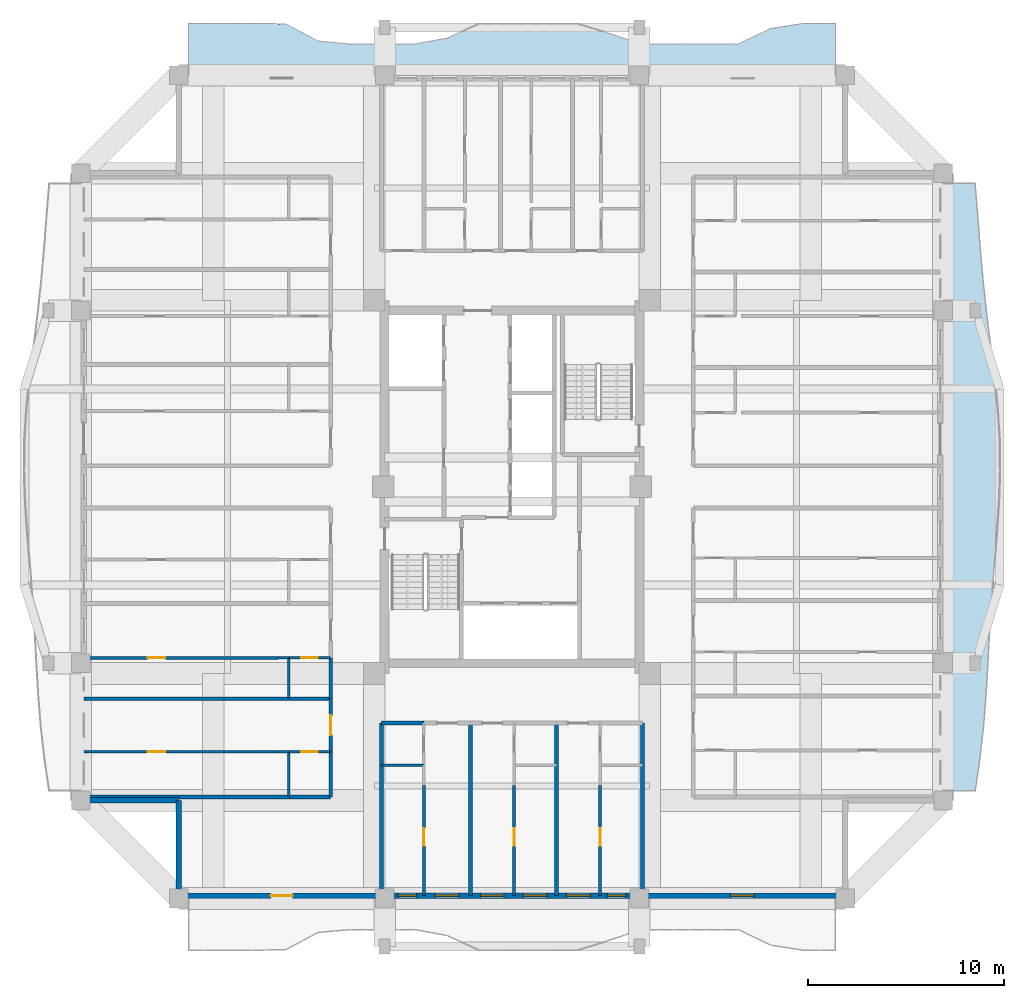
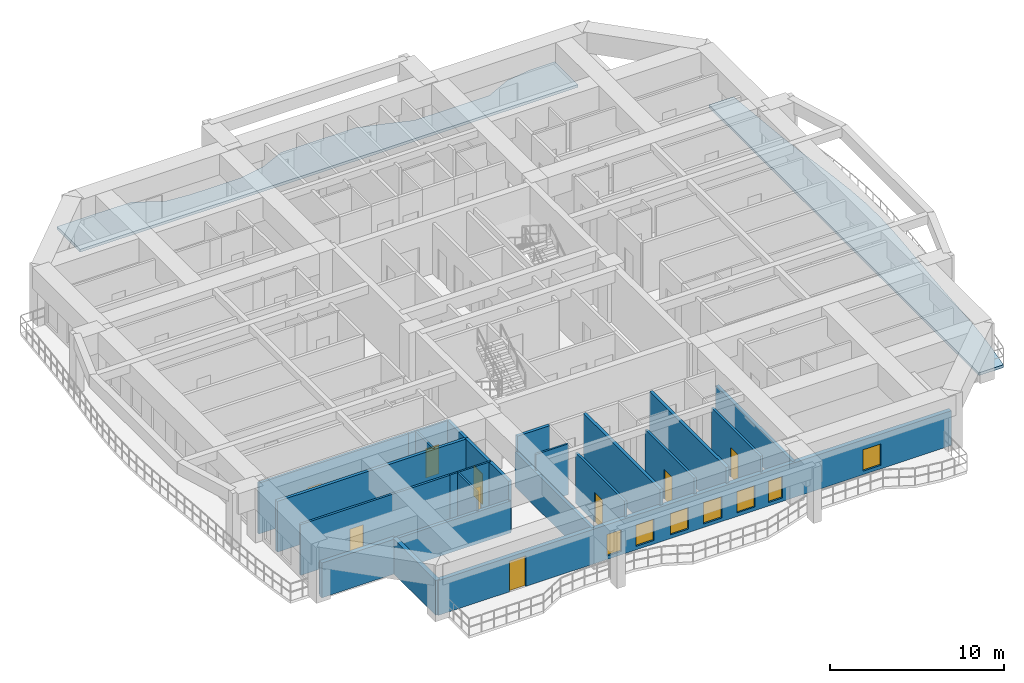
# One storey, part 2 of 15: 25 walls, 9 doors, 7 windows, 2 slabs, 16 openings.
"""IFC4 building model written with IfcOpenShell, lengths in metres."""

from ifc_helpers import new_model, si_unit, direction, frame, frame_2d, origin, place, context, subcontext, project, spatial, polyline, rectangle, outline, extrude, source, transform, mapped, material, layer, layer_set, type_object, element, fill, save


model = new_model("IFC4")

# Units and contexts
model_context = context("Model", 3, precision=1e-05, world=origin(), true_north=direction((0.0, 1.0)))
body_context = subcontext(model_context, "Body", "Model", "MODEL_VIEW")
ifc_project = project(units=[si_unit("LENGTHUNIT", "METRE"), si_unit("AREAUNIT", "SQUARE_METRE"), si_unit("VOLUMEUNIT", "CUBIC_METRE"), si_unit("PLANEANGLEUNIT", "RADIAN"), si_unit("MASSUNIT", "GRAM", prefix="KILO")], contexts=[model_context])

# Site, building, storey
site_placement = place(None, origin())
site = spatial("IfcSite", under=ifc_project, at=site_placement, CompositionType="ELEMENT")
building_placement = place(site_placement, origin())
building = spatial("IfcBuilding", under=site, at=building_placement, Name="Saelheon Loggia Tower", CompositionType="ELEMENT")
storey_placement = place(building_placement, frame((0.0, 0.0, 169.0)))
storey = spatial("IfcBuildingStorey", under=building, at=storey_placement, Name="L53", CompositionType="ELEMENT", Elevation=169.0)

# Slabs
ifc_material_1 = material(Name="Precast Concrete C45/55", Category="concrete")
ifc_layer_1 = layer(ifc_material_1, 0.18994140625)
ifc_layer_set_1 = layer_set([ifc_layer_1], Name="Precast Concrete C45/55")
slab_type = type_object("IfcSlabType", Name="Slab_Loggia_Ext_190", PredefinedType="FLOOR", material=ifc_layer_set_1)
slab_1_placement = place(storey_placement, frame((0.0, 0.0, -0.18994140625)))
element("IfcSlab", 1, at=slab_1_placement, inside=storey, type_object=slab_type, Name="L53 Loggia Balcony Slab N", PredefinedType="FLOOR", context=body_context, shape_type="SweptSolid", body=[
    extrude(outline(polyline([(21.5, 48.0), (54.5, 48.0), (54.5, 50.64990234375), (52.85009765625, 50.64990234375), (51.199951171875, 50.393310546875), (49.550048828125, 49.60009765625), (47.89990234375, 49.60009765625), (46.25, 49.60009765625), (44.60009765625, 49.60009765625), (42.949951171875, 50.14990234375), (41.300048828125, 50.64990234375), (39.64990234375, 50.64990234375), (38.0, 50.64990234375), (36.35009765625, 50.64990234375), (34.699951171875, 49.90673828125), (33.050048828125, 49.60009765625), (31.39990234375, 49.60009765625), (29.75, 49.60009765625), (28.10009765625, 49.748291015625), (26.449951171875, 50.628662109375), (24.800048828125, 50.64990234375), (23.14990234375, 50.64990234375), (21.5, 50.64990234375), (21.5, 48.0)])), origin(), (0.0, 0.0, 1.0), 0.18994140625),
])
slab_2_placement = place(storey_placement, frame((0.0, 0.0, -0.18994140625)))
element("IfcSlab", 2, at=slab_2_placement, inside=storey, type_object=slab_type, Name="L53 Loggia Balcony Slab E", PredefinedType="FLOOR", context=body_context, shape_type="SweptSolid", body=[
    extrude(outline(polyline([(60.0, 11.5), (61.635009765625, 11.5), (61.874755859375, 13.131591796875), (62.0595703125, 14.76318359375), (62.18994140625, 16.394775390625), (62.285400390625, 18.0263671875), (62.37353515625, 19.657958984375), (62.4765625, 21.28955078125), (62.600830078125, 22.921142578125), (62.733154296875, 24.552490234375), (62.84423828125, 26.18408203125), (62.901123046875, 27.81591796875), (62.880126953125, 29.447509765625), (62.77685546875, 31.078857421875), (62.60791015625, 32.71044921875), (62.40576171875, 34.342041015625), (62.205078125, 35.9736328125), (62.030517578125, 37.605224609375), (61.88720703125, 39.23681640625), (61.761474609375, 40.868408203125), (61.627685546875, 42.5), (60.0, 42.5), (60.0, 11.5)])), origin(), (0.0, 0.0, 1.0), 0.18994140625),
])

# Wall, openings, windows, door
ifc_material_2 = material(Name="Architectural Precast Concrete C40/50", Category="concrete")
ifc_layer_2 = layer(ifc_material_2, 0.280029296875)
ifc_layer_set_2 = layer_set([ifc_layer_2], Name="Architectural Precast Concrete C40/50")
wall_type_1 = type_object("IfcWallType", Name="Wall_Ext_Loggia_280", PredefinedType="SOLIDWALL", material=ifc_layer_set_2)
wall_1_placement = place(storey_placement, frame((21.0, 6.139892578125, 0.0), z_axis=(0.0, 0.0, 1.0), x_axis=(1.0, 0.0, 0.0)))
wall_1 = element("IfcWall", 3, at=wall_1_placement, inside=storey, type_object=wall_type_1, Name="L53 South Loggia Inner Wall", PredefinedType="SOLIDWALL", context=body_context, shape_type="SweptSolid", body=[
    extrude(rectangle(XDim=34.0, YDim=0.280029296875, at=frame_2d((17.0, 0.0))), origin(), (0.0, 0.0, 1.0), 2.43994140625),
])
opening_1_placement = place(wall_1_placement, frame((5.800048828125, 0.0, 0.0), z_axis=(0.0, 0.0, 1.0), x_axis=(-1.0, 0.0, 0.0)))
opening_1 = element("IfcOpeningElement", 4, at=opening_1_placement, cuts=wall_1, Name="Opening TD1", PredefinedType="OPENING", context=body_context, shape_type="SweptSolid", body=[
    extrude(rectangle(XDim=1.10009765625, YDim=2.14990234375, at=frame_2d((0.550048828125, 1.074951171875))), frame((0.0, 0.152099609375, 0.0), z_axis=(0.0, -1.0, 0.0), x_axis=(1.0, 0.0, 0.0)), (0.0, 0.0, 1.0), 0.303955078125),
])
opening_2_placement = place(wall_1_placement, frame((11.1826171875, 0.0, 0.25)))
opening_2 = element("IfcOpeningElement", 5, at=opening_2_placement, cuts=wall_1, Name="Opening WN-04", PredefinedType="OPENING", context=body_context, shape_type="SweptSolid", body=[
    extrude(rectangle(XDim=0.949951171875, YDim=1.5, at=frame_2d((0.47509765625, 0.75))), frame((0.0, 0.152099609375, 0.0), z_axis=(0.0, -1.0, 0.0), x_axis=(1.0, 0.0, 0.0)), (0.0, 0.0, 1.0), 0.303955078125),
])
opening_3_placement = place(wall_1_placement, frame((13.0859375, 0.0, 0.25)))
opening_3 = element("IfcOpeningElement", 6, at=opening_3_placement, cuts=wall_1, Name="Opening WN-03", PredefinedType="OPENING", context=body_context, shape_type="SweptSolid", body=[
    extrude(rectangle(XDim=1.199951171875, YDim=1.5, at=frame_2d((0.60009765625, 0.75))), frame((0.0, 0.152099609375, 0.0), z_axis=(0.0, -1.0, 0.0), x_axis=(1.0, 0.0, 0.0)), (0.0, 0.0, 1.0), 0.303955078125),
])
opening_4_placement = place(wall_1_placement, frame((15.3916015625, 0.0, 0.25)))
opening_4 = element("IfcOpeningElement", 7, at=opening_4_placement, cuts=wall_1, Name="Opening WN-03", PredefinedType="OPENING", context=body_context, shape_type="SweptSolid", body=[
    extrude(rectangle(XDim=1.199951171875, YDim=1.5, at=frame_2d((0.60009765625, 0.75))), frame((0.0, 0.152099609375, 0.0), z_axis=(0.0, -1.0, 0.0), x_axis=(1.0, 0.0, 0.0)), (0.0, 0.0, 1.0), 0.303955078125),
])
opening_5_placement = place(wall_1_placement, frame((17.5859375, 0.0, 0.25)))
opening_5 = element("IfcOpeningElement", 8, at=opening_5_placement, cuts=wall_1, Name="Opening WN-03", PredefinedType="OPENING", context=body_context, shape_type="SweptSolid", body=[
    extrude(rectangle(XDim=1.199951171875, YDim=1.5, at=frame_2d((0.60009765625, 0.75))), frame((0.0, 0.152099609375, 0.0), z_axis=(0.0, -1.0, 0.0), x_axis=(1.0, 0.0, 0.0)), (0.0, 0.0, 1.0), 0.303955078125),
])
opening_6_placement = place(wall_1_placement, frame((19.780517578125, 0.0, 0.25)))
opening_6 = element("IfcOpeningElement", 9, at=opening_6_placement, cuts=wall_1, Name="Opening WN-03", PredefinedType="OPENING", context=body_context, shape_type="SweptSolid", body=[
    extrude(rectangle(XDim=1.199951171875, YDim=1.5, at=frame_2d((0.60009765625, 0.75))), frame((0.0, 0.152099609375, 0.0), z_axis=(0.0, -1.0, 0.0), x_axis=(1.0, 0.0, 0.0)), (0.0, 0.0, 1.0), 0.303955078125),
])
opening_7_placement = place(wall_1_placement, frame((21.867431640625, 0.0, 0.25)))
opening_7 = element("IfcOpeningElement", 10, at=opening_7_placement, cuts=wall_1, Name="Opening WN-04", PredefinedType="OPENING", context=body_context, shape_type="SweptSolid", body=[
    extrude(rectangle(XDim=0.949951171875, YDim=1.5, at=frame_2d((0.47509765625, 0.75))), frame((0.0, 0.152099609375, 0.0), z_axis=(0.0, -1.0, 0.0), x_axis=(1.0, 0.0, 0.0)), (0.0, 0.0, 1.0), 0.303955078125),
])
opening_8_placement = place(wall_1_placement, frame((28.14990234375, 0.0, 0.25)))
opening_8 = element("IfcOpeningElement", 11, at=opening_8_placement, cuts=wall_1, Name="Opening WN-03", PredefinedType="OPENING", context=body_context, shape_type="SweptSolid", body=[
    extrude(rectangle(XDim=1.199951171875, YDim=1.5, at=frame_2d((0.60009765625, 0.75))), frame((0.0, 0.152099609375, 0.0), z_axis=(0.0, -1.0, 0.0), x_axis=(1.0, 0.0, 0.0)), (0.0, 0.0, 1.0), 0.303955078125),
])
ifc_material_3 = material(Name="Thermal-Break Aluminium and Triple Low-E Glass", Category="aluminium")
window_type_1 = type_object("IfcWindowType", Name="Win_Bedroom_1200x1500", PartitioningType="SINGLE_PANEL", PredefinedType="WINDOW", material=ifc_material_3)
shared_shape_1 = source(origin(), body_context, "Body", "SweptSolid", [
    extrude(rectangle(XDim=1.199951171875, YDim=1.5, at=frame_2d((0.60009765625, 0.75))), frame((0.0, 0.030029296875, 0.0), z_axis=(0.0, -1.0, 0.0), x_axis=(1.0, 0.0, 0.0)), (0.0, 0.0, 1.0), 0.06005859375),
])
window_1_placement = place(opening_3_placement, origin())
window_1 = element("IfcWindow", 12, at=window_1_placement, inside=storey, type_object=window_type_1, Name="L53 S Dwelling Window 3", OverallHeight=1.5, OverallWidth=1.199951171875, PartitioningType="SINGLE_PANEL", PredefinedType="WINDOW", context=body_context, shape_type="MappedRepresentation", body=[
    mapped(shared_shape_1, transform((0.0, 0.0, 0.0), scale=1.0)),
])
fill(opening_3, window_1)
window_2_placement = place(opening_4_placement, origin())
window_2 = element("IfcWindow", 13, at=window_2_placement, inside=storey, type_object=window_type_1, Name="L53 S Dwelling Window 4", OverallHeight=1.5, OverallWidth=1.199951171875, PartitioningType="SINGLE_PANEL", PredefinedType="WINDOW", context=body_context, shape_type="MappedRepresentation", body=[
    mapped(shared_shape_1, transform((0.0, 0.0, 0.0), scale=1.0)),
])
fill(opening_4, window_2)
window_3_placement = place(opening_5_placement, origin())
window_3 = element("IfcWindow", 14, at=window_3_placement, inside=storey, type_object=window_type_1, Name="L53 S Dwelling Window 5", OverallHeight=1.5, OverallWidth=1.199951171875, PartitioningType="SINGLE_PANEL", PredefinedType="WINDOW", context=body_context, shape_type="MappedRepresentation", body=[
    mapped(shared_shape_1, transform((0.0, 0.0, 0.0), scale=1.0)),
])
fill(opening_5, window_3)
window_4_placement = place(opening_6_placement, origin())
window_4 = element("IfcWindow", 15, at=window_4_placement, inside=storey, type_object=window_type_1, Name="L53 S Dwelling Window 6", OverallHeight=1.5, OverallWidth=1.199951171875, PartitioningType="SINGLE_PANEL", PredefinedType="WINDOW", context=body_context, shape_type="MappedRepresentation", body=[
    mapped(shared_shape_1, transform((0.0, 0.0, 0.0), scale=1.0)),
])
fill(opening_6, window_4)
window_5_placement = place(opening_8_placement, origin())
window_5 = element("IfcWindow", 16, at=window_5_placement, inside=storey, type_object=window_type_1, Name="L53 S Dwelling Window 8", OverallHeight=1.5, OverallWidth=1.199951171875, PartitioningType="SINGLE_PANEL", PredefinedType="WINDOW", context=body_context, shape_type="MappedRepresentation", body=[
    mapped(shared_shape_1, transform((0.0, 0.0, 0.0), scale=1.0)),
])
fill(opening_8, window_5)
ifc_material_4 = material(Name="Thermal-Break Aluminium Glazed Door", Category="aluminium")
door_type_1 = type_object("IfcDoorType", Name="Door_Terrace_TD1", OperationType="NOTDEFINED", PredefinedType="DOOR", material=ifc_material_4)
shared_shape_2 = source(origin(), body_context, "Body", "SweptSolid", [
    extrude(rectangle(XDim=1.10009765625, YDim=2.14990234375, at=frame_2d((0.550048828125, 1.074951171875))), frame((0.0, 0.02490234375, 0.0), z_axis=(0.0, -1.0, 0.0), x_axis=(1.0, 0.0, 0.0)), (0.0, 0.0, 1.0), 0.050048828125),
])
door_1_placement = place(opening_1_placement, origin())
door_1 = element("IfcDoor", 17, at=door_1_placement, inside=storey, type_object=door_type_1, Name="L53 S Loggia Access Door", OperationType="SINGLE_SWING_LEFT", OverallHeight=2.14990234375, OverallWidth=1.10009765625, PredefinedType="DOOR", context=body_context, shape_type="MappedRepresentation", body=[
    mapped(shared_shape_2, transform((0.0, 0.0, 0.0), scale=1.0)),
])
fill(opening_1, door_1)
window_type_2 = type_object("IfcWindowType", Name="Win_Narrow_950x1500", PartitioningType="SINGLE_PANEL", PredefinedType="WINDOW", material=ifc_material_3)
shared_shape_3 = source(origin(), body_context, "Body", "SweptSolid", [
    extrude(rectangle(XDim=0.949951171875, YDim=1.5, at=frame_2d((0.47509765625, 0.75))), frame((0.0, 0.030029296875, 0.0), z_axis=(0.0, -1.0, 0.0), x_axis=(1.0, 0.0, 0.0)), (0.0, 0.0, 1.0), 0.06005859375),
])
window_6_placement = place(opening_2_placement, origin())
window_6 = element("IfcWindow", 18, at=window_6_placement, inside=storey, type_object=window_type_2, Name="L53 S Dwelling Window 2", OverallHeight=1.5, OverallWidth=0.949951171875, PartitioningType="SINGLE_PANEL", PredefinedType="WINDOW", context=body_context, shape_type="MappedRepresentation", body=[
    mapped(shared_shape_3, transform((0.0, 0.0, 0.0), scale=1.0)),
])
fill(opening_2, window_6)
window_7_placement = place(opening_7_placement, origin())
window_7 = element("IfcWindow", 19, at=window_7_placement, inside=storey, type_object=window_type_2, Name="L53 S Dwelling Window 7", OverallHeight=1.5, OverallWidth=0.949951171875, PartitioningType="SINGLE_PANEL", PredefinedType="WINDOW", context=body_context, shape_type="MappedRepresentation", body=[
    mapped(shared_shape_3, transform((0.0, 0.0, 0.0), scale=1.0)),
])
fill(opening_7, window_7)

# Walls
for number, where, z_axis, x_axis, name in (
    (20, (21.0, 6.080078125, 0.0), (0.0, 0.0, 1.0), (0.0, 1.0, 0.0), "L53 Corner Notch Precast Wall SW1"),
    (21, (16.080078125, 11.0, 0.0), (0.0, 0.0, 1.0), (1.0, 0.0, 0.0), "L53 Corner Notch Precast Wall SW2"),
):
    element("IfcWall", number, at=place(storey_placement, frame(where, z_axis=z_axis, x_axis=x_axis)), inside=storey, type_object=wall_type_1, Name=name, PredefinedType="SOLIDWALL", context=body_context, shape_type="SweptSolid", body=[
        extrude(rectangle(XDim=4.919921875, YDim=0.280029296875, at=frame_2d((2.4599609375, 0.0))), origin(), (0.0, 0.0, 1.0), 2.43994140625),
    ])

# Wall, opening, door
ifc_material_5 = material(Name="Lightweight Autoclaved Aerated Concrete Block and Acoustic Gypsum", Category="concrete")
ifc_layer_3 = layer(ifc_material_5, 0.14990234375)
ifc_layer_set_3 = layer_set([ifc_layer_3], Name="Lightweight Autoclaved Aerated Concrete Block and Acoustic Gypsum")
wall_type_2 = type_object("IfcWallType", Name="Wall_Part_150", PredefinedType="PARTITIONING", material=ifc_layer_set_3)
wall_2_placement = place(storey_placement, frame((33.5, 11.77001953125, 0.0), z_axis=(0.0, 0.0, 1.0), x_axis=(0.0, -1.0, 0.0)))
wall_2 = element("IfcWall", 22, at=wall_2_placement, inside=storey, type_object=wall_type_2, Name="L53 S Partition U08", PredefinedType="PARTITIONING", context=body_context, shape_type="SweptSolid", body=[
    extrude(rectangle(XDim=5.6201171875, YDim=0.14990234375, at=frame_2d((2.81005859375, 0.0))), origin(), (0.0, 0.0, 1.0), 3.56005859375),
])
opening_9_placement = place(wall_2_placement, frame((2.183349609375, 0.0, 0.0)))
opening_9 = element("IfcOpeningElement", 23, at=opening_9_placement, cuts=wall_2, Name="Opening D-IN2", PredefinedType="OPENING", context=body_context, shape_type="SweptSolid", body=[
    extrude(rectangle(XDim=0.89990234375, YDim=2.10009765625, at=frame_2d((0.449951171875, 1.050048828125))), frame((0.0, 0.0869140625, 0.0), z_axis=(0.0, -1.0, 0.0), x_axis=(1.0, 0.0, 0.0)), (0.0, 0.0, 1.0), 0.173828125),
])
ifc_material_6 = material(Name="Engineered Oak Flush Door", Category="timber")
door_type_2 = type_object("IfcDoorType", Name="Door_Int_900", OperationType="NOTDEFINED", PredefinedType="DOOR", material=ifc_material_6)
shared_shape_4 = source(origin(), body_context, "Body", "SweptSolid", [
    extrude(rectangle(XDim=0.89990234375, YDim=2.10009765625, at=frame_2d((0.449951171875, 1.050048828125))), frame((0.0, 0.02490234375, 0.0), z_axis=(0.0, -1.0, 0.0), x_axis=(1.0, 0.0, 0.0)), (0.0, 0.0, 1.0), 0.050048828125),
])
door_2_placement = place(opening_9_placement, origin())
door_2 = element("IfcDoor", 24, at=door_2_placement, inside=storey, type_object=door_type_2, Name="Unit U01 Kitchen Door", OperationType="SINGLE_SWING_RIGHT", OverallHeight=2.10009765625, OverallWidth=0.89990234375, PredefinedType="DOOR", context=body_context, shape_type="MappedRepresentation", body=[
    mapped(shared_shape_4, transform((0.0, 0.0, 0.0), scale=1.0)),
])
fill(opening_9, door_2)

wall_3_placement = place(storey_placement, frame((38.111083984375, 11.77001953125, 0.0), z_axis=(0.0, 0.0, 1.0), x_axis=(0.0, -1.0, 0.0)))
wall_3 = element("IfcWall", 25, at=wall_3_placement, inside=storey, type_object=wall_type_2, Name="L53 S Partition U15", PredefinedType="PARTITIONING", context=body_context, shape_type="SweptSolid", body=[
    extrude(rectangle(XDim=5.6201171875, YDim=0.14990234375, at=frame_2d((2.81005859375, 0.0))), origin(), (0.0, 0.0, 1.0), 3.56005859375),
])
opening_10_placement = place(wall_3_placement, frame((2.183349609375, 0.0, 0.0)))
opening_10 = element("IfcOpeningElement", 26, at=opening_10_placement, cuts=wall_3, Name="Opening D-IN2", PredefinedType="OPENING", context=body_context, shape_type="SweptSolid", body=[
    extrude(rectangle(XDim=0.89990234375, YDim=2.10009765625, at=frame_2d((0.449951171875, 1.050048828125))), frame((0.0, 0.0869140625, 0.0), z_axis=(0.0, -1.0, 0.0), x_axis=(1.0, 0.0, 0.0)), (0.0, 0.0, 1.0), 0.173828125),
])
door_3_placement = place(opening_10_placement, origin())
door_3 = element("IfcDoor", 27, at=door_3_placement, inside=storey, type_object=door_type_2, Name="Unit U02 Kitchen Door", OperationType="SINGLE_SWING_LEFT", OverallHeight=2.10009765625, OverallWidth=0.89990234375, PredefinedType="DOOR", context=body_context, shape_type="MappedRepresentation", body=[
    mapped(shared_shape_4, transform((0.0, 0.0, 0.0), scale=1.0)),
])
fill(opening_10, door_3)

wall_4_placement = place(storey_placement, frame((42.5, 11.77001953125, 0.0), z_axis=(0.0, 0.0, 1.0), x_axis=(0.0, -1.0, 0.0)))
wall_4 = element("IfcWall", 28, at=wall_4_placement, inside=storey, type_object=wall_type_2, Name="L53 S Partition U22", PredefinedType="PARTITIONING", context=body_context, shape_type="SweptSolid", body=[
    extrude(rectangle(XDim=5.6201171875, YDim=0.14990234375, at=frame_2d((2.81005859375, 0.0))), origin(), (0.0, 0.0, 1.0), 3.56005859375),
])
opening_11_placement = place(wall_4_placement, frame((2.183349609375, 0.0, 0.0)))
opening_11 = element("IfcOpeningElement", 29, at=opening_11_placement, cuts=wall_4, Name="Opening D-IN2", PredefinedType="OPENING", context=body_context, shape_type="SweptSolid", body=[
    extrude(rectangle(XDim=0.89990234375, YDim=2.10009765625, at=frame_2d((0.449951171875, 1.050048828125))), frame((0.0, 0.0869140625, 0.0), z_axis=(0.0, -1.0, 0.0), x_axis=(1.0, 0.0, 0.0)), (0.0, 0.0, 1.0), 0.173828125),
])
door_4_placement = place(opening_11_placement, origin())
door_4 = element("IfcDoor", 30, at=door_4_placement, inside=storey, type_object=door_type_2, Name="Unit U03 Kitchen Door", OperationType="SINGLE_SWING_RIGHT", OverallHeight=2.10009765625, OverallWidth=0.89990234375, PredefinedType="DOOR", context=body_context, shape_type="MappedRepresentation", body=[
    mapped(shared_shape_4, transform((0.0, 0.0, 0.0), scale=1.0)),
])
fill(opening_11, door_4)

wall_5_placement = place(storey_placement, frame((26.050048828125, 13.4853515625, 0.0), z_axis=(0.0, 0.0, 1.0), x_axis=(-1.0, 0.0, 0.0)))
wall_5 = element("IfcWall", 31, at=wall_5_placement, inside=storey, type_object=wall_type_2, Name="L53 WS Partition U08", PredefinedType="PARTITIONING", context=body_context, shape_type="SweptSolid", body=[
    extrude(rectangle(XDim=9.900146484375, YDim=0.14990234375, at=frame_2d((4.9501953125, 0.0))), origin(), (0.0, 0.0, 1.0), 3.56005859375),
])
opening_12_placement = place(wall_5_placement, frame((5.742431640625, 0.0, 0.0)))
opening_12 = element("IfcOpeningElement", 32, at=opening_12_placement, cuts=wall_5, Name="Opening D-IN2", PredefinedType="OPENING", context=body_context, shape_type="SweptSolid", body=[
    extrude(rectangle(XDim=0.89990234375, YDim=2.10009765625, at=frame_2d((0.449951171875, 1.050048828125))), frame((0.0, 0.0869140625, 0.0), z_axis=(0.0, -1.0, 0.0), x_axis=(1.0, 0.0, 0.0)), (0.0, 0.0, 1.0), 0.173828125),
])
door_5_placement = place(opening_12_placement, origin())
door_5 = element("IfcDoor", 33, at=door_5_placement, inside=storey, type_object=door_type_2, Name="Unit U07 Kitchen Door", OperationType="SINGLE_SWING_LEFT", OverallHeight=2.10009765625, OverallWidth=0.89990234375, PredefinedType="DOOR", context=body_context, shape_type="MappedRepresentation", body=[
    mapped(shared_shape_4, transform((0.0, 0.0, 0.0), scale=1.0)),
])
fill(opening_12, door_5)

wall_6_placement = place(storey_placement, frame((26.050048828125, 18.280029296875, 0.0), z_axis=(0.0, 0.0, 1.0), x_axis=(-1.0, 0.0, 0.0)))
wall_6 = element("IfcWall", 34, at=wall_6_placement, inside=storey, type_object=wall_type_2, Name="L53 WS Partition U15", PredefinedType="PARTITIONING", context=body_context, shape_type="SweptSolid", body=[
    extrude(rectangle(XDim=9.900146484375, YDim=0.14990234375, at=frame_2d((4.9501953125, 0.0))), origin(), (0.0, 0.0, 1.0), 3.56005859375),
])
opening_13_placement = place(wall_6_placement, frame((5.742431640625, 0.0, 0.0)))
opening_13 = element("IfcOpeningElement", 35, at=opening_13_placement, cuts=wall_6, Name="Opening D-IN2", PredefinedType="OPENING", context=body_context, shape_type="SweptSolid", body=[
    extrude(rectangle(XDim=0.89990234375, YDim=2.10009765625, at=frame_2d((0.449951171875, 1.050048828125))), frame((0.0, 0.0869140625, 0.0), z_axis=(0.0, -1.0, 0.0), x_axis=(1.0, 0.0, 0.0)), (0.0, 0.0, 1.0), 0.173828125),
])
door_6_placement = place(opening_13_placement, origin())
door_6 = element("IfcDoor", 36, at=door_6_placement, inside=storey, type_object=door_type_2, Name="Unit U08 Kitchen Door", OperationType="SINGLE_SWING_RIGHT", OverallHeight=2.10009765625, OverallWidth=0.89990234375, PredefinedType="DOOR", context=body_context, shape_type="MappedRepresentation", body=[
    mapped(shared_shape_4, transform((0.0, 0.0, 0.0), scale=1.0)),
])
fill(opening_13, door_6)

# Walls
ifc_material_7 = material(Name="Double Acoustic Stud and Fireboard Partition", Category="gypsum")
ifc_layer_4 = layer(ifc_material_7, 0.199951171875)
ifc_layer_set_4 = layer_set([ifc_layer_4], Name="Double Acoustic Stud and Fireboard Partition")
wall_type_3 = type_object("IfcWallType", Name="Wall_Party_200", PredefinedType="PARTITIONING", material=ifc_layer_set_4)
for number, where, z_axis, x_axis, name in (
    (37, (31.35009765625, 14.949951171875, 0.0), (0.0, 0.0, 1.0), (0.0, -1.0, 0.0), "L53 S Partition U01"),
    (38, (44.64990234375, 14.949951171875, 0.0), (0.0, 0.0, 1.0), (0.0, -1.0, 0.0), "L53 S Partition U02"),
):
    element("IfcWall", number, at=place(storey_placement, frame(where, z_axis=z_axis, x_axis=x_axis)), inside=storey, type_object=wall_type_3, Name=name, PredefinedType="PARTITIONING", context=body_context, shape_type="SweptSolid", body=[
        extrude(rectangle(XDim=8.800048828125, YDim=0.199951171875, at=frame_2d((4.39990234375, 0.0))), origin(), (0.0, 0.0, 1.0), 2.43994140625),
    ])
wall_7_placement = place(storey_placement, frame((31.35009765625, 14.949951171875, 0.0), z_axis=(0.0, 0.0, 1.0), x_axis=(1.0, 0.0, 0.0)))
element("IfcWall", 39, at=wall_7_placement, inside=storey, type_object=wall_type_3, Name="L53 S Partition V03", PredefinedType="PARTITIONING", context=body_context, shape_type="SweptSolid", body=[
    extrude(rectangle(XDim=2.14990234375, YDim=0.199951171875, at=frame_2d((1.074951171875, 0.0))), origin(), (0.0, 0.0, 1.0), 3.56005859375),
])
for number, where, z_axis, x_axis, name in (
    (40, (35.8720703125, 14.949951171875, 0.0), (0.0, 0.0, 1.0), (0.0, -1.0, 0.0), "L53 S Partition U09"),
    (41, (40.260986328125, 14.949951171875, 0.0), (0.0, 0.0, 1.0), (0.0, -1.0, 0.0), "L53 S Partition U16"),
):
    element("IfcWall", number, at=place(storey_placement, frame(where, z_axis=z_axis, x_axis=x_axis)), inside=storey, type_object=wall_type_3, Name=name, PredefinedType="PARTITIONING", context=body_context, shape_type="SweptSolid", body=[
        extrude(rectangle(XDim=8.800048828125, YDim=0.199951171875, at=frame_2d((4.39990234375, 0.0))), origin(), (0.0, 0.0, 1.0), 3.56005859375),
    ])
wall_8_placement = place(storey_placement, frame((28.75, 11.179931640625, 0.0), z_axis=(0.0, 0.0, 1.0), x_axis=(-1.0, 0.0, 0.0)))
element("IfcWall", 42, at=wall_8_placement, inside=storey, type_object=wall_type_3, Name="L53 WS Partition U01", PredefinedType="PARTITIONING", context=body_context, shape_type="SweptSolid", body=[
    extrude(rectangle(XDim=12.60009765625, YDim=0.199951171875, at=frame_2d((6.300048828125, 0.0))), origin(), (0.0, 0.0, 1.0), 2.239990234375),
])
wall_9_placement = place(storey_placement, frame((28.75, 11.179931640625, 0.0), z_axis=(0.0, 0.0, 1.0), x_axis=(0.0, 1.0, 0.0)))
element("IfcWall", 43, at=wall_9_placement, inside=storey, type_object=wall_type_3, Name="L53 WS Partition V03", PredefinedType="PARTITIONING", context=body_context, shape_type="SweptSolid", body=[
    extrude(rectangle(XDim=2.305419921875, YDim=0.199951171875, at=frame_2d((1.15283203125, 0.0))), origin(), (0.0, 0.0, 1.0), 3.56005859375),
])

# Wall, opening, door
wall_10_placement = place(storey_placement, frame((28.75, 13.4853515625, 0.0), z_axis=(0.0, 0.0, 1.0), x_axis=(0.0, 1.0, 0.0)))
wall_10 = element("IfcWall", 44, at=wall_10_placement, inside=storey, type_object=wall_type_3, Name="L53 WS Partition V04", PredefinedType="PARTITIONING", context=body_context, shape_type="SweptSolid", body=[
    extrude(rectangle(XDim=2.706298828125, YDim=0.199951171875, at=frame_2d((1.35302734375, 0.0))), origin(), (0.0, 0.0, 1.0), 3.56005859375),
])
opening_14_placement = place(wall_10_placement, frame((0.853271484375, 0.0, 0.0)))
opening_14 = element("IfcOpeningElement", 45, at=opening_14_placement, cuts=wall_10, Name="Opening D-FD1", PredefinedType="OPENING", context=body_context, shape_type="SweptSolid", body=[
    extrude(rectangle(XDim=1.0, YDim=2.14990234375, at=frame_2d((0.5, 1.074951171875))), frame((0.0, 0.112060546875, 0.0), z_axis=(0.0, -1.0, 0.0), x_axis=(1.0, 0.0, 0.0)), (0.0, 0.0, 1.0), 0.223876953125),
])
ifc_material_8 = material(Name="Fire-Rated Engineered Timber Entrance Door", Category="wood")
door_type_3 = type_object("IfcDoorType", Name="Door_Flat_FD30S", OperationType="NOTDEFINED", PredefinedType="DOOR", material=ifc_material_8)
shared_shape_5 = source(origin(), body_context, "Body", "SweptSolid", [
    extrude(rectangle(XDim=1.0, YDim=2.14990234375, at=frame_2d((0.5, 1.074951171875))), frame((0.0, 0.02490234375, 0.0), z_axis=(0.0, -1.0, 0.0), x_axis=(1.0, 0.0, 0.0)), (0.0, 0.0, 1.0), 0.050048828125),
])
door_7_placement = place(opening_14_placement, origin())
door_7 = element("IfcDoor", 46, at=door_7_placement, inside=storey, type_object=door_type_3, Name="Unit U07 Entrance Door", OperationType="SINGLE_SWING_LEFT", OverallHeight=2.14990234375, OverallWidth=1.0, PredefinedType="DOOR", context=body_context, shape_type="MappedRepresentation", body=[
    mapped(shared_shape_5, transform((0.0, 0.0, 0.0), scale=1.0)),
])
fill(opening_14, door_7)

# Walls
wall_11_placement = place(storey_placement, frame((28.75, 16.191650390625, 0.0), z_axis=(0.0, 0.0, 1.0), x_axis=(-1.0, 0.0, 0.0)))
element("IfcWall", 47, at=wall_11_placement, inside=storey, type_object=wall_type_3, Name="L53 WS Partition U09", PredefinedType="PARTITIONING", context=body_context, shape_type="SweptSolid", body=[
    extrude(rectangle(XDim=12.60009765625, YDim=0.199951171875, at=frame_2d((6.300048828125, 0.0))), origin(), (0.0, 0.0, 1.0), 3.56005859375),
])
wall_12_placement = place(storey_placement, frame((28.75, 16.191650390625, 0.0), z_axis=(0.0, 0.0, 1.0), x_axis=(0.0, 1.0, 0.0)))
element("IfcWall", 48, at=wall_12_placement, inside=storey, type_object=wall_type_3, Name="L53 WS Partition V10", PredefinedType="PARTITIONING", context=body_context, shape_type="SweptSolid", body=[
    extrude(rectangle(XDim=2.08837890625, YDim=0.199951171875, at=frame_2d((1.044189453125, 0.0))), origin(), (0.0, 0.0, 1.0), 3.56005859375),
])
ifc_material_9 = material(Name="Moisture-Resistant Cement Board Partition", Category="gypsum")
ifc_layer_5 = layer(ifc_material_9, 0.1201171875)
ifc_layer_set_5 = layer_set([ifc_layer_5], Name="Moisture-Resistant Cement Board Partition")
wall_type_4 = type_object("IfcWallType", Name="Wall_WetPart_120", PredefinedType="PARTITIONING", material=ifc_layer_set_5)
wall_13_placement = place(storey_placement, frame((31.35009765625, 12.800048828125, 0.0), z_axis=(0.0, 0.0, 1.0), x_axis=(1.0, 0.0, 0.0)))
element("IfcWall", 49, at=wall_13_placement, inside=storey, type_object=wall_type_4, Name="L53 S Partition V07", PredefinedType="PARTITIONING", context=body_context, shape_type="SweptSolid", body=[
    extrude(rectangle(XDim=2.14990234375, YDim=0.1201171875, at=frame_2d((1.074951171875, 0.0))), origin(), (0.0, 0.0, 1.0), 3.56005859375),
])

# Wall, opening, door
wall_14_placement = place(storey_placement, frame((28.75, 13.4853515625, 0.0), z_axis=(0.0, 0.0, 1.0), x_axis=(-1.0, 0.0, 0.0)))
wall_14 = element("IfcWall", 50, at=wall_14_placement, inside=storey, type_object=wall_type_4, Name="L53 WS Partition U05", PredefinedType="PARTITIONING", context=body_context, shape_type="SweptSolid", body=[
    extrude(rectangle(XDim=2.14990234375, YDim=0.1201171875, at=frame_2d((1.074951171875, 0.0))), origin(), (0.0, 0.0, 1.0), 3.56005859375),
])
opening_15_placement = place(wall_14_placement, frame((0.64990234375, 0.0, 0.0)))
opening_15 = element("IfcOpeningElement", 51, at=opening_15_placement, cuts=wall_14, Name="Opening D-BT1", PredefinedType="OPENING", context=body_context, shape_type="SweptSolid", body=[
    extrude(rectangle(XDim=0.85009765625, YDim=2.050048828125, at=frame_2d((0.425048828125, 1.02490234375))), frame((0.0, 0.072021484375, 0.0), z_axis=(0.0, -1.0, 0.0), x_axis=(1.0, 0.0, 0.0)), (0.0, 0.0, 1.0), 0.14404296875),
])
ifc_material_10 = material(Name="Moisture-Resistant Laminate Timber Door", Category="wood")
door_type_4 = type_object("IfcDoorType", Name="Door_Bath_850", OperationType="NOTDEFINED", PredefinedType="DOOR", material=ifc_material_10)
shared_shape_6 = source(origin(), body_context, "Body", "SweptSolid", [
    extrude(rectangle(XDim=0.85009765625, YDim=2.050048828125, at=frame_2d((0.425048828125, 1.02490234375))), frame((0.0, 0.02490234375, 0.0), z_axis=(0.0, -1.0, 0.0), x_axis=(1.0, 0.0, 0.0)), (0.0, 0.0, 1.0), 0.050048828125),
])
door_8_placement = place(opening_15_placement, origin())
door_8 = element("IfcDoor", 52, at=door_8_placement, inside=storey, type_object=door_type_4, Name="Unit U07 Bathroom Door", OperationType="SINGLE_SWING_RIGHT", OverallHeight=2.050048828125, OverallWidth=0.85009765625, PredefinedType="DOOR", context=body_context, shape_type="MappedRepresentation", body=[
    mapped(shared_shape_6, transform((0.0, 0.0, 0.0), scale=1.0)),
])
fill(opening_15, door_8)

# Walls
wall_15_placement = place(storey_placement, frame((26.60009765625, 13.4853515625, 0.0), z_axis=(0.0, 0.0, 1.0), x_axis=(-1.0, 0.0, 0.0)))
element("IfcWall", 53, at=wall_15_placement, inside=storey, type_object=wall_type_4, Name="L53 WS Partition U06", PredefinedType="PARTITIONING", context=body_context, shape_type="SweptSolid", body=[
    extrude(rectangle(XDim=0.550048828125, YDim=0.1201171875, at=frame_2d((0.27490234375, 0.0))), origin(), (0.0, 0.0, 1.0), 3.56005859375),
])
wall_16_placement = place(storey_placement, frame((26.60009765625, 11.179931640625, 0.0), z_axis=(0.0, 0.0, 1.0), x_axis=(0.0, 1.0, 0.0)))
element("IfcWall", 54, at=wall_16_placement, inside=storey, type_object=wall_type_4, Name="L53 WS Partition V07", PredefinedType="PARTITIONING", context=body_context, shape_type="SweptSolid", body=[
    extrude(rectangle(XDim=2.305419921875, YDim=0.1201171875, at=frame_2d((1.15283203125, 0.0))), origin(), (0.0, 0.0, 1.0), 3.56005859375),
])

# Wall, opening, door
wall_17_placement = place(storey_placement, frame((28.75, 18.280029296875, 0.0), z_axis=(0.0, 0.0, 1.0), x_axis=(-1.0, 0.0, 0.0)))
wall_17 = element("IfcWall", 55, at=wall_17_placement, inside=storey, type_object=wall_type_4, Name="L53 WS Partition U12", PredefinedType="PARTITIONING", context=body_context, shape_type="SweptSolid", body=[
    extrude(rectangle(XDim=2.14990234375, YDim=0.1201171875, at=frame_2d((1.074951171875, 0.0))), origin(), (0.0, 0.0, 1.0), 3.56005859375),
])
opening_16_placement = place(wall_17_placement, frame((0.64990234375, 0.0, 0.0)))
opening_16 = element("IfcOpeningElement", 56, at=opening_16_placement, cuts=wall_17, Name="Opening D-BT1", PredefinedType="OPENING", context=body_context, shape_type="SweptSolid", body=[
    extrude(rectangle(XDim=0.85009765625, YDim=2.050048828125, at=frame_2d((0.425048828125, 1.02490234375))), frame((0.0, 0.072021484375, 0.0), z_axis=(0.0, -1.0, 0.0), x_axis=(1.0, 0.0, 0.0)), (0.0, 0.0, 1.0), 0.14404296875),
])
door_9_placement = place(opening_16_placement, origin())
door_9 = element("IfcDoor", 57, at=door_9_placement, inside=storey, type_object=door_type_4, Name="Unit U08 Bathroom Door", OperationType="SINGLE_SWING_LEFT", OverallHeight=2.050048828125, OverallWidth=0.85009765625, PredefinedType="DOOR", context=body_context, shape_type="MappedRepresentation", body=[
    mapped(shared_shape_6, transform((0.0, 0.0, 0.0), scale=1.0)),
])
fill(opening_16, door_9)

# Walls
wall_18_placement = place(storey_placement, frame((26.60009765625, 18.280029296875, 0.0), z_axis=(0.0, 0.0, 1.0), x_axis=(-1.0, 0.0, 0.0)))
element("IfcWall", 58, at=wall_18_placement, inside=storey, type_object=wall_type_4, Name="L53 WS Partition U13", PredefinedType="PARTITIONING", context=body_context, shape_type="SweptSolid", body=[
    extrude(rectangle(XDim=0.550048828125, YDim=0.1201171875, at=frame_2d((0.27490234375, 0.0))), origin(), (0.0, 0.0, 1.0), 3.56005859375),
])
wall_19_placement = place(storey_placement, frame((26.60009765625, 16.191650390625, 0.0), z_axis=(0.0, 0.0, 1.0), x_axis=(0.0, 1.0, 0.0)))
element("IfcWall", 59, at=wall_19_placement, inside=storey, type_object=wall_type_4, Name="L53 WS Partition V14", PredefinedType="PARTITIONING", context=body_context, shape_type="SweptSolid", body=[
    extrude(rectangle(XDim=2.08837890625, YDim=0.1201171875, at=frame_2d((1.044189453125, 0.0))), origin(), (0.0, 0.0, 1.0), 3.56005859375),
])

save(model, "model.ifc")
